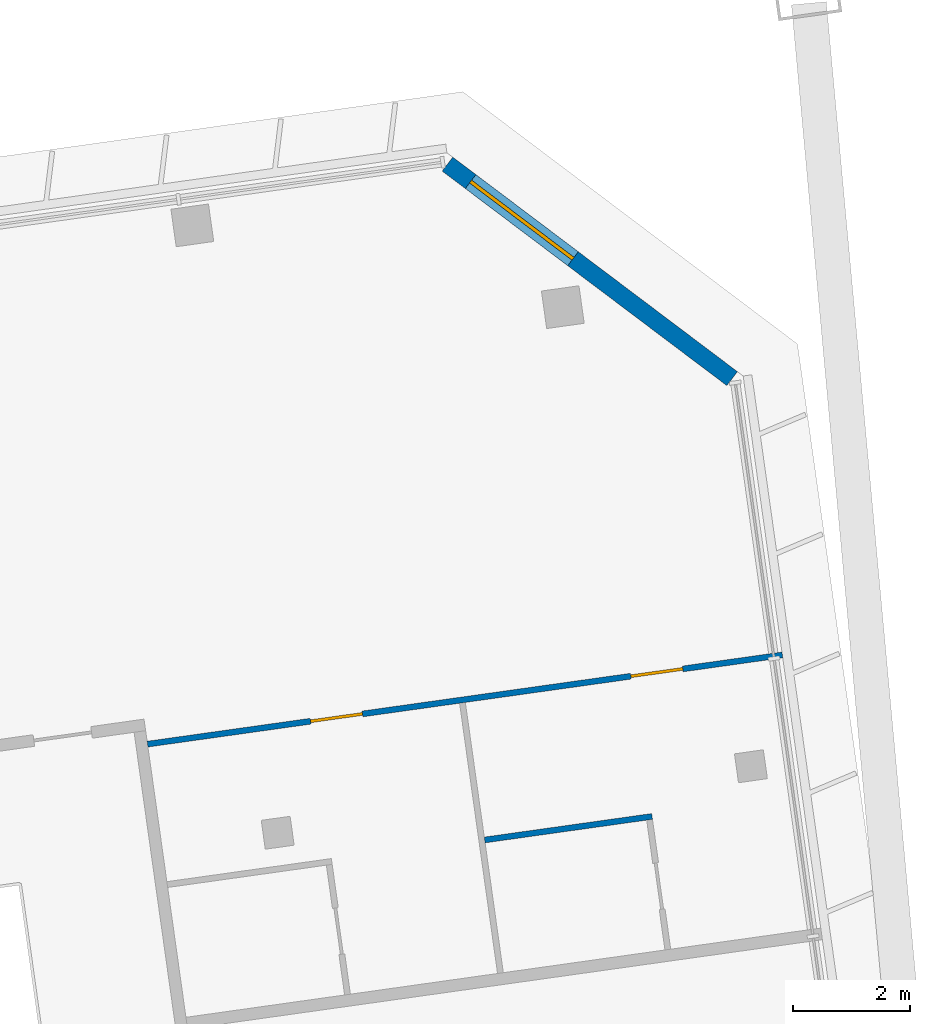
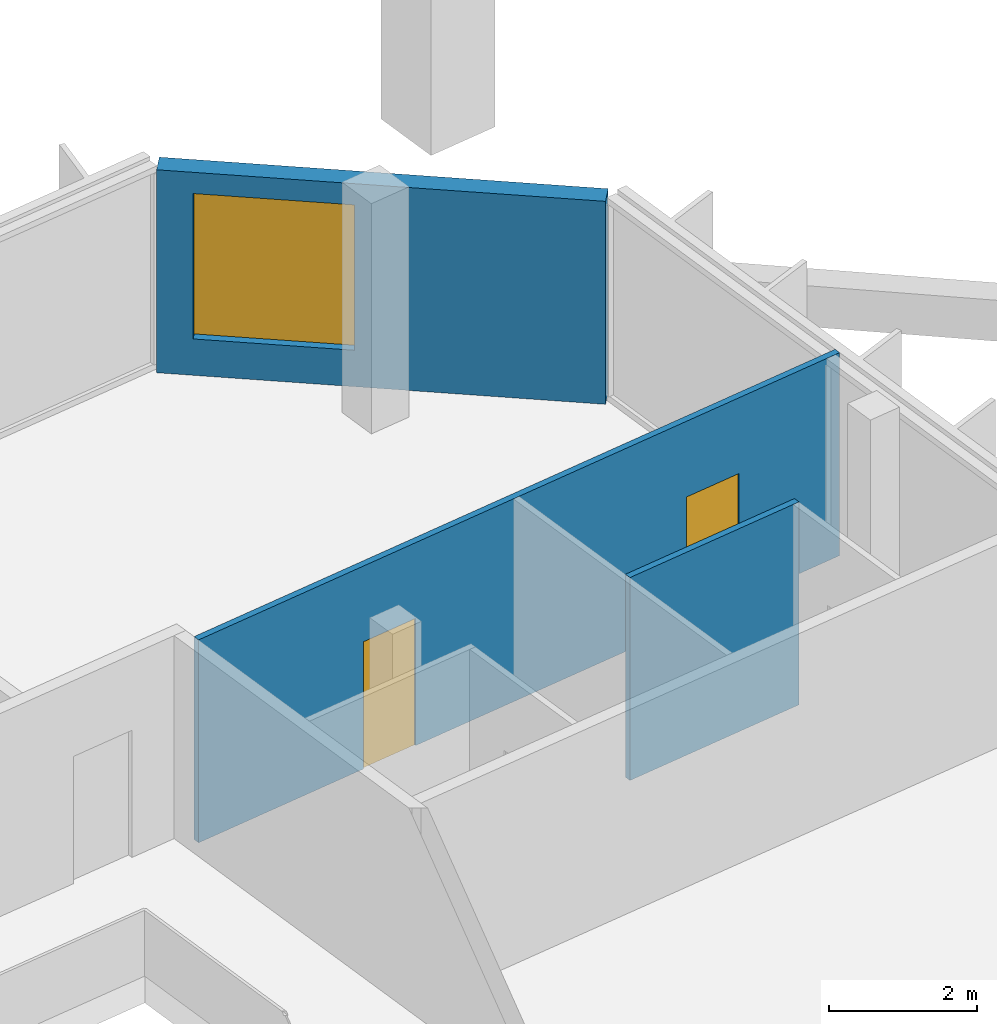
# One storey, part 20 of 23: 3 walls, 2 doors, 1 window, 3 openings.
"""IFC4 building model written with IfcOpenShell, lengths in metres."""

from ifc_helpers import new_model, si_unit, direction, frame, frame_2d, origin, place, context, subcontext, project, spatial, rectangle, extrude, material, layer, layer_set, type_object, element, fill, save


model = new_model("IFC4")

# Units and contexts
model_context = context("Model", 3, precision=1e-05, world=origin(), true_north=direction((0.0, 1.0)))
body_context = subcontext(model_context, "Body", "Model", "MODEL_VIEW")
ifc_project = project(units=[si_unit("LENGTHUNIT", "METRE"), si_unit("AREAUNIT", "SQUARE_METRE"), si_unit("VOLUMEUNIT", "CUBIC_METRE"), si_unit("PLANEANGLEUNIT", "RADIAN"), si_unit("MASSUNIT", "GRAM", prefix="KILO")], contexts=[model_context])

# Site, building, storey
site_placement = place(None, origin())
site = spatial("IfcSite", under=ifc_project, at=site_placement, CompositionType="ELEMENT")
building_placement = place(site_placement, origin())
building = spatial("IfcBuilding", under=site, at=building_placement, Name="Mirante Cascada Hotel Towers", CompositionType="ELEMENT")
storey_placement = place(building_placement, frame((0.0, 0.0, 220.4)))
storey = spatial("IfcBuildingStorey", under=building, at=storey_placement, Name="L52", CompositionType="ELEMENT", Elevation=220.4)

# Wall
ifc_material_1 = material(Name="Plasterboard on metal studs")
ifc_layer_1 = layer(ifc_material_1, 0.1)
ifc_layer_set_1 = layer_set([ifc_layer_1], Name="Partition 100")
wall_type_1 = type_object("IfcWallType", Name="Partition 100", PredefinedType="PARTITIONING", material=ifc_layer_set_1)
wall_1_placement = place(storey_placement, frame((68.1089, 10.6602, 0.0), z_axis=(0.0, 0.0, 1.0), x_axis=(0.9902683, 0.1391714, 0.0)))
element("IfcWall", 1, at=wall_1_placement, inside=storey, type_object=wall_type_1, Name="Wall 2-L52-15", PredefinedType="PARTITIONING", context=body_context, shape_type="SweptSolid", body=[
    extrude(rectangle(XDim=2.9, YDim=0.1, at=frame_2d((1.45, 0.0))), origin(), (0.0, 0.0, 1.0), 3.35),
])

# Wall, openings, doors
wall_2_placement = place(storey_placement, frame((62.3238, 12.3045, 0.0), z_axis=(0.0, 0.0, 1.0), x_axis=(0.990268, 0.1391733, 0.0)))
wall_2 = element("IfcWall", 2, at=wall_2_placement, inside=storey, type_object=wall_type_1, Name="Wall 2-L52-17", PredefinedType="PARTITIONING", context=body_context, shape_type="SweptSolid", body=[
    extrude(rectangle(XDim=11.0, YDim=0.1, at=frame_2d((5.5, 0.0))), origin(), (0.0, 0.0, 1.0), 3.35),
])
opening_1_placement = place(wall_2_placement, frame((2.825, 0.0, 0.0)))
opening_1 = element("IfcOpeningElement", 3, at=opening_1_placement, cuts=wall_2, Name="Opening D2-L52-07", PredefinedType="OPENING", context=body_context, shape_type="SweptSolid", body=[
    extrude(rectangle(XDim=0.9, YDim=2.1, at=frame_2d((0.45, 1.05))), frame((0.0, 0.05, 0.0), z_axis=(0.0, -1.0, 0.0), x_axis=(1.0, 0.0, 0.0)), (0.0, 0.0, 1.0), 0.1),
])
opening_2_placement = place(wall_2_placement, frame((8.375, 0.0, 0.0)))
opening_2 = element("IfcOpeningElement", 4, at=opening_2_placement, cuts=wall_2, Name="Opening D2-L52-08", PredefinedType="OPENING", context=body_context, shape_type="SweptSolid", body=[
    extrude(rectangle(XDim=0.9, YDim=2.1, at=frame_2d((0.45, 1.05))), frame((0.0, 0.05, 0.0), z_axis=(0.0, -1.0, 0.0), x_axis=(1.0, 0.0, 0.0)), (0.0, 0.0, 1.0), 0.1),
])
ifc_material_2 = material(Name="Timber door leaf", Category="wood")
door_type = type_object("IfcDoorType", Name="Room door DG3 900x2100", OperationType="SINGLE_SWING_LEFT", PredefinedType="DOOR", material=ifc_material_2)
door_1_placement = place(opening_1_placement, origin())
door_1 = element("IfcDoor", 5, at=door_1_placement, inside=storey, type_object=door_type, Name="Door D2-L52-07", OperationType="SINGLE_SWING_LEFT", OverallHeight=2.1, OverallWidth=0.9, PredefinedType="DOOR", context=body_context, shape_type="SweptSolid", body=[
    extrude(rectangle(XDim=0.9, YDim=2.1, at=frame_2d((0.45, 1.05))), frame((0.0, 0.025, 0.0), z_axis=(0.0, -1.0, 0.0), x_axis=(1.0, 0.0, 0.0)), (0.0, 0.0, 1.0), 0.05),
])
fill(opening_1, door_1)
door_2_placement = place(opening_2_placement, origin())
door_2 = element("IfcDoor", 6, at=door_2_placement, inside=storey, type_object=door_type, Name="Door D2-L52-08", OperationType="SINGLE_SWING_LEFT", OverallHeight=2.1, OverallWidth=0.9, PredefinedType="DOOR", context=body_context, shape_type="SweptSolid", body=[
    extrude(rectangle(XDim=0.9, YDim=2.1, at=frame_2d((0.45, 1.05))), frame((0.0, 0.025, 0.0), z_axis=(0.0, -1.0, 0.0), x_axis=(1.0, 0.0, 0.0)), (0.0, 0.0, 1.0), 0.05),
])
fill(opening_2, door_2)

# Wall, opening, window
ifc_material_3 = material(Name="Precast concrete C40/50", Category="concrete")
ifc_layer_2 = layer(ifc_material_3, 0.3)
ifc_layer_set_2 = layer_set([ifc_layer_2], Name="Precast concrete C40/50 cladding wall 300")
wall_type_2 = type_object("IfcWallType", Name="Precast concrete C40/50 cladding wall 300", PredefinedType="STANDARD", material=ifc_layer_set_2)
wall_3_placement = place(storey_placement, frame((72.3546, 18.5766, 0.0), z_axis=(0.0, 0.0, 1.0), x_axis=(-0.7986362, 0.6018141, 0.0)))
wall_3 = element("IfcWall", 7, at=wall_3_placement, inside=storey, type_object=wall_type_2, Name="Corner cladding wall T2 L52 outer front", PredefinedType="STANDARD", context=body_context, shape_type="SweptSolid", body=[
    extrude(rectangle(XDim=6.1157, YDim=0.3, at=frame_2d((3.0578, 0.0))), origin(), (0.0, 0.0, 1.0), 3.35),
])
opening_3_placement = place(wall_3_placement, frame((3.4182, 0.0, 0.6)))
opening_3 = element("IfcOpeningElement", 8, at=opening_3_placement, cuts=wall_3, Name="Opening W2-52-03", PredefinedType="OPENING", context=body_context, shape_type="SweptSolid", body=[
    extrude(rectangle(XDim=2.2, YDim=2.4, at=frame_2d((1.1, 1.2))), frame((0.0, 0.15, 0.0), z_axis=(0.0, -1.0, 0.0), x_axis=(1.0, 0.0, 0.0)), (0.0, 0.0, 1.0), 0.3),
])
ifc_material_4 = material(Name="Aluminium frame with clear double glazing", Category="aluminium")
window_type = type_object("IfcWindowType", Name="Corner suite window 2200x2400", PartitioningType="DOUBLE_PANEL_VERTICAL", PredefinedType="WINDOW", material=ifc_material_4)
window_placement = place(opening_3_placement, origin())
window = element("IfcWindow", 9, at=window_placement, inside=storey, type_object=window_type, Name="Window W2-52-03", OverallHeight=2.4, OverallWidth=2.2, PartitioningType="SINGLE_PANEL", PredefinedType="WINDOW", context=body_context, shape_type="SweptSolid", body=[
    extrude(rectangle(XDim=2.2, YDim=2.4, at=frame_2d((1.1, 1.2))), frame((0.0, 0.03, 0.0), z_axis=(0.0, -1.0, 0.0), x_axis=(1.0, 0.0, 0.0)), (0.0, 0.0, 1.0), 0.06),
])
fill(opening_3, window)

save(model, "model.ifc")
